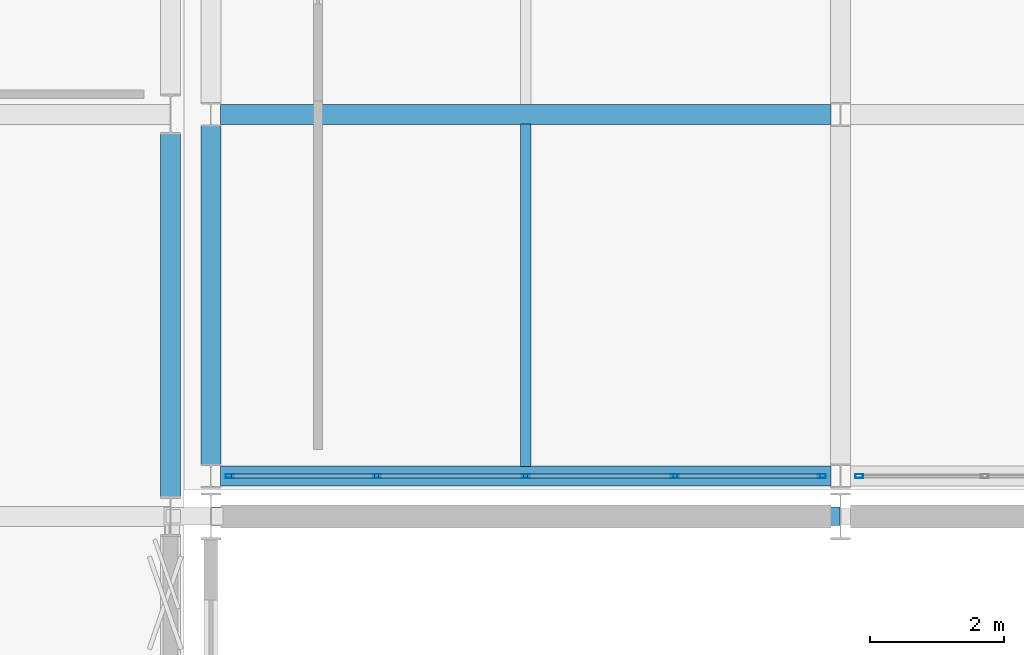
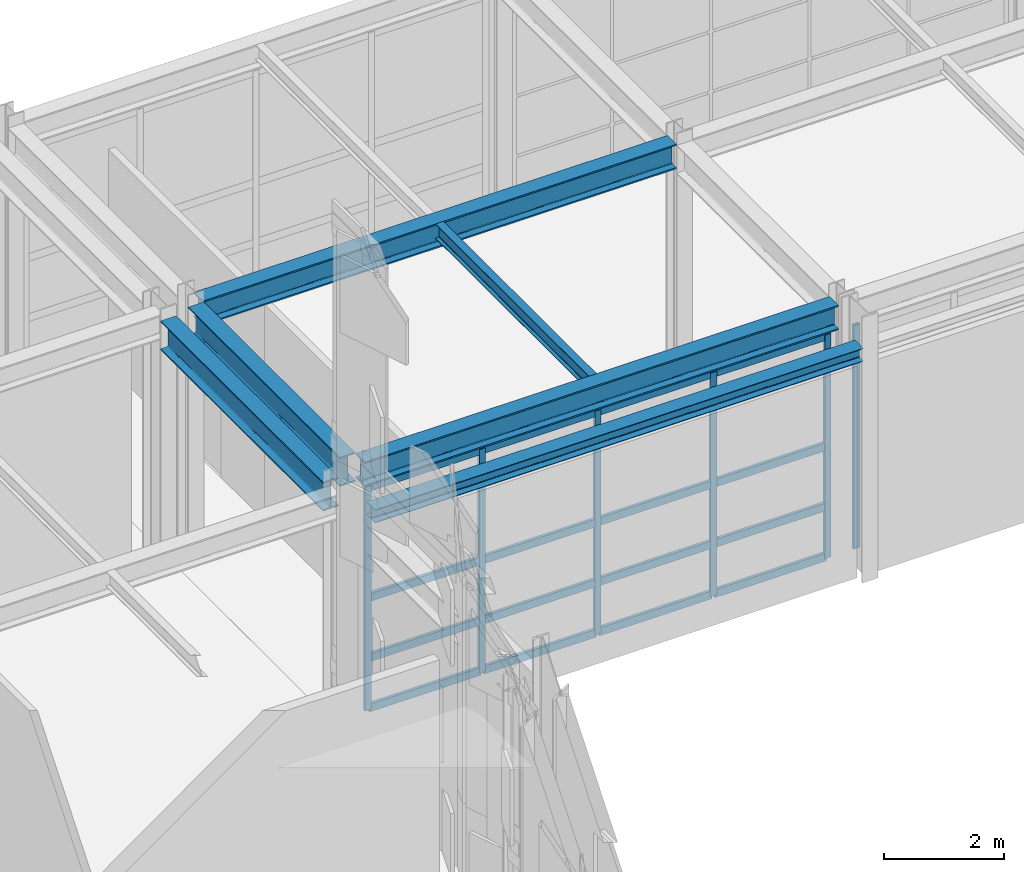
# One storey, part 167 of 239: 22 members, 6 beams, 2 elements without a shape of their own.
"""IFC4 building model written with IfcOpenShell, lengths in metres."""

from ifc_helpers import new_model, si_unit, direction, frame, origin, origin_2d, place, context, subcontext, project, spatial, hollow_rectangle, i_section, extrude, material, material_profile, profile_set, type_object, element, aggregate, save


model = new_model("IFC4")

# Units and contexts
model_context = context("Model", 3, precision=1e-05, world=origin(), true_north=direction((0.0, 1.0)))
body_context = subcontext(model_context, "Body", "Model", "MODEL_VIEW")
ifc_project = project(units=[si_unit("LENGTHUNIT", "METRE"), si_unit("AREAUNIT", "SQUARE_METRE"), si_unit("VOLUMEUNIT", "CUBIC_METRE"), si_unit("PLANEANGLEUNIT", "RADIAN"), si_unit("MASSUNIT", "GRAM", prefix="KILO")], contexts=[model_context])

# Site, building, storey
site_placement = place(None, origin())
site = spatial("IfcSite", under=ifc_project, at=site_placement, CompositionType="ELEMENT")
building_placement = place(site_placement, origin())
building = spatial("IfcBuilding", under=site, at=building_placement, Name="Kaldris Quays Convention Centre", CompositionType="ELEMENT")
storey_placement = place(building_placement, frame((0.0, 0.0, 11.39990234375)))
storey = spatial("IfcBuildingStorey", under=building, at=storey_placement, Name="L02", CompositionType="ELEMENT", Elevation=11.39990234375)

# Curtain wall, members
ifc_material_1 = material(Name="Anodized aluminium AW-6060 and triple glazing", Category="aluminium")
curtain_wall_type = type_object("IfcCurtainWallType", Name="UNITISED CURTAIN WALL CW06", PredefinedType="NOTDEFINED", material=ifc_material_1)
curtain_wall_1_placement = place(storey_placement, origin())
curtain_wall_1 = element("IfcCurtainWall", 1, at=curtain_wall_1_placement, inside=storey, type_object=curtain_wall_type, Name="L02 Unitised Curtain Wall CW06 167", PredefinedType="NOTDEFINED")
ifc_material_2 = material(Name="Anodized aluminium AW-6060", Category="aluminium")
ifc_material_profile_1 = material_profile(ifc_material_2, hollow_rectangle(XDim=0.06005859375, YDim=0.1201171875, WallThickness=0.00390625, at=origin_2d()), Name="RHS 120x60x4")
ifc_profile_set_1 = profile_set([ifc_material_profile_1], Name="Anodized aluminium AW-6060")
member_type_1 = type_object("IfcMemberType", Name="CURTAIN MULLION CWM3", PredefinedType="MULLION", material=ifc_profile_set_1)
member_1_placement = place(storey_placement, frame((164.8798828125, 104.60009765625, 0.0), z_axis=(0.0, 0.0, 1.0), x_axis=(0.0, 1.0, 0.0)))
member_1 = element("IfcMember", 2, at=member_1_placement, type_object=member_type_1, Name="CW06 mullion 1", PredefinedType="MULLION", context=body_context, shape_type="SweptSolid", body=[
    extrude(hollow_rectangle(XDim=0.06005859375, YDim=0.1201171875, WallThickness=0.00390625, at=origin_2d()), origin(), (0.0, 0.0, 1.0), 4.548095703125),
])
member_2_placement = place(storey_placement, frame((167.074951171875, 104.60009765625, 0.0), z_axis=(0.0, 0.0, 1.0), x_axis=(0.0, 1.0, 0.0)))
member_2 = element("IfcMember", 3, at=member_2_placement, type_object=member_type_1, Name="CW06 mullion 2", PredefinedType="MULLION", context=body_context, shape_type="SweptSolid", body=[
    extrude(hollow_rectangle(XDim=0.06005859375, YDim=0.1201171875, WallThickness=0.00390625, at=origin_2d()), origin(), (0.0, 0.0, 1.0), 4.548095703125),
])
member_3_placement = place(storey_placement, frame((169.300048828125, 104.60009765625, 0.0), z_axis=(0.0, 0.0, 1.0), x_axis=(0.0, 1.0, 0.0)))
member_3 = element("IfcMember", 4, at=member_3_placement, type_object=member_type_1, Name="CW06 mullion 3", PredefinedType="MULLION", context=body_context, shape_type="SweptSolid", body=[
    extrude(hollow_rectangle(XDim=0.06005859375, YDim=0.1201171875, WallThickness=0.00390625, at=origin_2d()), origin(), (0.0, 0.0, 1.0), 4.548095703125),
])
member_4_placement = place(storey_placement, frame((171.52490234375, 104.60009765625, 0.0), z_axis=(0.0, 0.0, 1.0), x_axis=(0.0, 1.0, 0.0)))
member_4 = element("IfcMember", 5, at=member_4_placement, type_object=member_type_1, Name="CW06 mullion 4", PredefinedType="MULLION", context=body_context, shape_type="SweptSolid", body=[
    extrude(hollow_rectangle(XDim=0.06005859375, YDim=0.1201171875, WallThickness=0.00390625, at=origin_2d()), origin(), (0.0, 0.0, 1.0), 4.548095703125),
])
member_5_placement = place(storey_placement, frame((173.719970703125, 104.60009765625, 0.0), z_axis=(0.0, 0.0, 1.0), x_axis=(0.0, 1.0, 0.0)))
member_5 = element("IfcMember", 6, at=member_5_placement, type_object=member_type_1, Name="CW06 mullion 5", PredefinedType="MULLION", context=body_context, shape_type="SweptSolid", body=[
    extrude(hollow_rectangle(XDim=0.06005859375, YDim=0.1201171875, WallThickness=0.00390625, at=origin_2d()), origin(), (0.0, 0.0, 1.0), 4.548095703125),
])

# Curtain wall, member
curtain_wall_2_placement = place(storey_placement, origin())
curtain_wall_2 = element("IfcCurtainWall", 7, at=curtain_wall_2_placement, inside=storey, type_object=curtain_wall_type, Name="L02 Unitised Curtain Wall CW06 169", PredefinedType="NOTDEFINED")
member_6_placement = place(storey_placement, frame((174.280029296875, 104.60009765625, 0.0), z_axis=(0.0, 0.0, 1.0), x_axis=(0.0, 1.0, 0.0)))
member_6 = element("IfcMember", 8, at=member_6_placement, type_object=member_type_1, Name="CW06 mullion 1", PredefinedType="MULLION", context=body_context, shape_type="SweptSolid", body=[
    extrude(hollow_rectangle(XDim=0.06005859375, YDim=0.1201171875, WallThickness=0.00390625, at=origin_2d()), origin(), (0.0, 0.0, 1.0), 4.548095703125),
])
aggregate(curtain_wall_2, [member_6])

# Member
ifc_material_profile_2 = material_profile(ifc_material_2, hollow_rectangle(XDim=0.06005859375, YDim=0.159912109375, WallThickness=0.00390625, at=origin_2d()), Name="RHS 160x60x4")
ifc_profile_set_2 = profile_set([ifc_material_profile_2], Name="Anodized aluminium AW-6060")
member_type_2 = type_object("IfcMemberType", Name="CURTAIN TRANSOM CWT2", PredefinedType="USERDEFINED", material=ifc_profile_set_2)
member_7_placement = place(storey_placement, frame((164.909912109375, 104.60009765625, 0.030029296875), z_axis=(1.0, 0.0, 0.0), x_axis=(0.0, 1.0, 0.0)))
member_7 = element("IfcMember", 9, at=member_7_placement, type_object=member_type_2, Name="CW06 transom 1.1", ObjectType="TRANSOM", PredefinedType="USERDEFINED", context=body_context, shape_type="SweptSolid", body=[
    extrude(hollow_rectangle(XDim=0.06005859375, YDim=0.159912109375, WallThickness=0.00390625, at=origin_2d()), origin(), (0.0, 0.0, 1.0), 2.135009765625),
])

member_8_placement = place(storey_placement, frame((164.909912109375, 104.60009765625, 1.050048828125), z_axis=(1.0, 0.0, 0.0), x_axis=(0.0, 1.0, 0.0)))
member_8 = element("IfcMember", 10, at=member_8_placement, type_object=member_type_2, Name="CW06 transom 1.2", ObjectType="TRANSOM", PredefinedType="USERDEFINED", context=body_context, shape_type="SweptSolid", body=[
    extrude(hollow_rectangle(XDim=0.06005859375, YDim=0.159912109375, WallThickness=0.00390625, at=origin_2d()), origin(), (0.0, 0.0, 1.0), 2.135009765625),
])

member_9_placement = place(storey_placement, frame((164.909912109375, 104.60009765625, 2.274169921875), z_axis=(1.0, 0.0, 0.0), x_axis=(0.0, 1.0, 0.0)))
member_9 = element("IfcMember", 11, at=member_9_placement, type_object=member_type_2, Name="CW06 transom 1.3", ObjectType="TRANSOM", PredefinedType="USERDEFINED", context=body_context, shape_type="SweptSolid", body=[
    extrude(hollow_rectangle(XDim=0.06005859375, YDim=0.159912109375, WallThickness=0.00390625, at=origin_2d()), origin(), (0.0, 0.0, 1.0), 2.135009765625),
])

member_10_placement = place(storey_placement, frame((164.909912109375, 104.60009765625, 4.51806640625), z_axis=(1.0, 0.0, 0.0), x_axis=(0.0, 1.0, 0.0)))
member_10 = element("IfcMember", 12, at=member_10_placement, type_object=member_type_2, Name="CW06 transom 1.4", ObjectType="TRANSOM", PredefinedType="USERDEFINED", context=body_context, shape_type="SweptSolid", body=[
    extrude(hollow_rectangle(XDim=0.06005859375, YDim=0.159912109375, WallThickness=0.00390625, at=origin_2d()), origin(), (0.0, 0.0, 1.0), 2.135009765625),
])

member_11_placement = place(storey_placement, frame((167.10498046875, 104.60009765625, 0.030029296875), z_axis=(1.0, 0.0, 0.0), x_axis=(0.0, 1.0, 0.0)))
member_11 = element("IfcMember", 13, at=member_11_placement, type_object=member_type_2, Name="CW06 transom 2.1", ObjectType="TRANSOM", PredefinedType="USERDEFINED", context=body_context, shape_type="SweptSolid", body=[
    extrude(hollow_rectangle(XDim=0.06005859375, YDim=0.159912109375, WallThickness=0.00390625, at=origin_2d()), origin(), (0.0, 0.0, 1.0), 2.1650390625),
])

member_12_placement = place(storey_placement, frame((167.10498046875, 104.60009765625, 1.050048828125), z_axis=(1.0, 0.0, 0.0), x_axis=(0.0, 1.0, 0.0)))
member_12 = element("IfcMember", 14, at=member_12_placement, type_object=member_type_2, Name="CW06 transom 2.2", ObjectType="TRANSOM", PredefinedType="USERDEFINED", context=body_context, shape_type="SweptSolid", body=[
    extrude(hollow_rectangle(XDim=0.06005859375, YDim=0.159912109375, WallThickness=0.00390625, at=origin_2d()), origin(), (0.0, 0.0, 1.0), 2.1650390625),
])

member_13_placement = place(storey_placement, frame((167.10498046875, 104.60009765625, 2.274169921875), z_axis=(1.0, 0.0, 0.0), x_axis=(0.0, 1.0, 0.0)))
member_13 = element("IfcMember", 15, at=member_13_placement, type_object=member_type_2, Name="CW06 transom 2.3", ObjectType="TRANSOM", PredefinedType="USERDEFINED", context=body_context, shape_type="SweptSolid", body=[
    extrude(hollow_rectangle(XDim=0.06005859375, YDim=0.159912109375, WallThickness=0.00390625, at=origin_2d()), origin(), (0.0, 0.0, 1.0), 2.1650390625),
])

member_14_placement = place(storey_placement, frame((167.10498046875, 104.60009765625, 4.51806640625), z_axis=(1.0, 0.0, 0.0), x_axis=(0.0, 1.0, 0.0)))
member_14 = element("IfcMember", 16, at=member_14_placement, type_object=member_type_2, Name="CW06 transom 2.4", ObjectType="TRANSOM", PredefinedType="USERDEFINED", context=body_context, shape_type="SweptSolid", body=[
    extrude(hollow_rectangle(XDim=0.06005859375, YDim=0.159912109375, WallThickness=0.00390625, at=origin_2d()), origin(), (0.0, 0.0, 1.0), 2.1650390625),
])

member_15_placement = place(storey_placement, frame((169.330078125, 104.60009765625, 0.030029296875), z_axis=(1.0, 0.0, 0.0), x_axis=(0.0, 1.0, 0.0)))
member_15 = element("IfcMember", 17, at=member_15_placement, type_object=member_type_2, Name="CW06 transom 3.1", ObjectType="TRANSOM", PredefinedType="USERDEFINED", context=body_context, shape_type="SweptSolid", body=[
    extrude(hollow_rectangle(XDim=0.06005859375, YDim=0.159912109375, WallThickness=0.00390625, at=origin_2d()), origin(), (0.0, 0.0, 1.0), 2.1650390625),
])

member_16_placement = place(storey_placement, frame((169.330078125, 104.60009765625, 1.050048828125), z_axis=(1.0, 0.0, 0.0), x_axis=(0.0, 1.0, 0.0)))
member_16 = element("IfcMember", 18, at=member_16_placement, type_object=member_type_2, Name="CW06 transom 3.2", ObjectType="TRANSOM", PredefinedType="USERDEFINED", context=body_context, shape_type="SweptSolid", body=[
    extrude(hollow_rectangle(XDim=0.06005859375, YDim=0.159912109375, WallThickness=0.00390625, at=origin_2d()), origin(), (0.0, 0.0, 1.0), 2.1650390625),
])

member_17_placement = place(storey_placement, frame((169.330078125, 104.60009765625, 2.274169921875), z_axis=(1.0, 0.0, 0.0), x_axis=(0.0, 1.0, 0.0)))
member_17 = element("IfcMember", 19, at=member_17_placement, type_object=member_type_2, Name="CW06 transom 3.3", ObjectType="TRANSOM", PredefinedType="USERDEFINED", context=body_context, shape_type="SweptSolid", body=[
    extrude(hollow_rectangle(XDim=0.06005859375, YDim=0.159912109375, WallThickness=0.00390625, at=origin_2d()), origin(), (0.0, 0.0, 1.0), 2.1650390625),
])

member_18_placement = place(storey_placement, frame((169.330078125, 104.60009765625, 4.51806640625), z_axis=(1.0, 0.0, 0.0), x_axis=(0.0, 1.0, 0.0)))
member_18 = element("IfcMember", 20, at=member_18_placement, type_object=member_type_2, Name="CW06 transom 3.4", ObjectType="TRANSOM", PredefinedType="USERDEFINED", context=body_context, shape_type="SweptSolid", body=[
    extrude(hollow_rectangle(XDim=0.06005859375, YDim=0.159912109375, WallThickness=0.00390625, at=origin_2d()), origin(), (0.0, 0.0, 1.0), 2.1650390625),
])

member_19_placement = place(storey_placement, frame((171.554931640625, 104.60009765625, 0.030029296875), z_axis=(1.0, 0.0, 0.0), x_axis=(0.0, 1.0, 0.0)))
member_19 = element("IfcMember", 21, at=member_19_placement, type_object=member_type_2, Name="CW06 transom 4.1", ObjectType="TRANSOM", PredefinedType="USERDEFINED", context=body_context, shape_type="SweptSolid", body=[
    extrude(hollow_rectangle(XDim=0.06005859375, YDim=0.159912109375, WallThickness=0.00390625, at=origin_2d()), origin(), (0.0, 0.0, 1.0), 2.135009765625),
])

member_20_placement = place(storey_placement, frame((171.554931640625, 104.60009765625, 1.050048828125), z_axis=(1.0, 0.0, 0.0), x_axis=(0.0, 1.0, 0.0)))
member_20 = element("IfcMember", 22, at=member_20_placement, type_object=member_type_2, Name="CW06 transom 4.2", ObjectType="TRANSOM", PredefinedType="USERDEFINED", context=body_context, shape_type="SweptSolid", body=[
    extrude(hollow_rectangle(XDim=0.06005859375, YDim=0.159912109375, WallThickness=0.00390625, at=origin_2d()), origin(), (0.0, 0.0, 1.0), 2.135009765625),
])

member_21_placement = place(storey_placement, frame((171.554931640625, 104.60009765625, 2.274169921875), z_axis=(1.0, 0.0, 0.0), x_axis=(0.0, 1.0, 0.0)))
member_21 = element("IfcMember", 23, at=member_21_placement, type_object=member_type_2, Name="CW06 transom 4.3", ObjectType="TRANSOM", PredefinedType="USERDEFINED", context=body_context, shape_type="SweptSolid", body=[
    extrude(hollow_rectangle(XDim=0.06005859375, YDim=0.159912109375, WallThickness=0.00390625, at=origin_2d()), origin(), (0.0, 0.0, 1.0), 2.135009765625),
])

member_22_placement = place(storey_placement, frame((171.554931640625, 104.60009765625, 4.51806640625), z_axis=(1.0, 0.0, 0.0), x_axis=(0.0, 1.0, 0.0)))
member_22 = element("IfcMember", 24, at=member_22_placement, type_object=member_type_2, Name="CW06 transom 4.4", ObjectType="TRANSOM", PredefinedType="USERDEFINED", context=body_context, shape_type="SweptSolid", body=[
    extrude(hollow_rectangle(XDim=0.06005859375, YDim=0.159912109375, WallThickness=0.00390625, at=origin_2d()), origin(), (0.0, 0.0, 1.0), 2.135009765625),
])

aggregate(curtain_wall_1, [member_1, member_2, member_3, member_4, member_5, member_7, member_8, member_9, member_10, member_11, member_12, member_13, member_14, member_15, member_16, member_17, member_18, member_19, member_20, member_21, member_22])

# Beams
ifc_material_3 = material(Name="Steel S355J2", Category="steel")
ifc_material_profile_3 = material_profile(ifc_material_3, i_section(OverallWidth=0.300048828125, OverallDepth=0.5, WebThickness=0.014404296875, FlangeThickness=0.028076171875, FilletRadius=0.027099609375, at=origin_2d()), Name="HEB 500")
ifc_profile_set_3 = profile_set([ifc_material_profile_3], Name="Steel S355J2")
beam_type_1 = type_object("IfcBeamType", Name="STRUCTURAL BEAM BM06", PredefinedType="BEAM", material=ifc_profile_set_3)
for number, where, z_axis, x_axis, name in (
    (25, (164.743896484375, 104.60009765625, 4.9130859375), (1.0, 0.0, 0.0), (0.0, 1.0, 0.0), "L02 Girder BM06 43"),
    (26, (164.743896484375, 110.0, 4.9130859375), (1.0, 0.0, 0.0), (0.0, 1.0, 0.0), "L02 Girder BM06 48"),
):
    element("IfcBeam", number, at=place(storey_placement, frame(where, z_axis=z_axis, x_axis=x_axis)), inside=storey, type_object=beam_type_1, Name=name, PredefinedType="BEAM", context=body_context, shape_type="SweptSolid", body=[
        extrude(i_section(OverallWidth=0.300048828125, OverallDepth=0.5, WebThickness=0.014404296875, FlangeThickness=0.028076171875, FilletRadius=0.027099609375, at=origin_2d()), origin(), (0.0, 0.0, 1.0), 9.112060546875),
    ])
ifc_material_profile_4 = material_profile(ifc_material_3, i_section(OverallWidth=0.300048828125, OverallDepth=0.590087890625, WebThickness=0.012939453125, FlangeThickness=0.02490234375, FilletRadius=0.027099609375, at=origin_2d()), Name="HEA 600")
ifc_profile_set_4 = profile_set([ifc_material_profile_4], Name="Steel S355J2")
beam_type_2 = type_object("IfcBeamType", Name="STRUCTURAL BEAM BM08", PredefinedType="BEAM", material=ifc_profile_set_4)
beam_1_placement = place(storey_placement, frame((164.0, 104.2939453125, 4.8681640625), z_axis=(0.0, 1.0, 0.0), x_axis=(-1.0, 0.0, 0.0)))
element("IfcBeam", 27, at=beam_1_placement, inside=storey, type_object=beam_type_2, Name="L02 Girder BM08 100", PredefinedType="BEAM", context=body_context, shape_type="SweptSolid", body=[
    extrude(i_section(OverallWidth=0.300048828125, OverallDepth=0.590087890625, WebThickness=0.012939453125, FlangeThickness=0.02490234375, FilletRadius=0.027099609375, at=origin_2d()), origin(), (0.0, 0.0, 1.0), 5.412109375),
])
beam_2_placement = place(storey_placement, frame((164.60009765625, 104.77392578125, 4.8681640625), z_axis=(0.0, 1.0, 0.0), x_axis=(-1.0, 0.0, 0.0)))
element("IfcBeam", 28, at=beam_2_placement, inside=storey, type_object=beam_type_2, Name="L02 Girder BM08 102", PredefinedType="BEAM", context=body_context, shape_type="SweptSolid", body=[
    extrude(i_section(OverallWidth=0.300048828125, OverallDepth=0.590087890625, WebThickness=0.012939453125, FlangeThickness=0.02490234375, FilletRadius=0.027099609375, at=origin_2d()), origin(), (0.0, 0.0, 1.0), 5.052001953125),
])
ifc_material_profile_5 = material_profile(ifc_material_3, i_section(OverallWidth=0.14990234375, OverallDepth=0.300048828125, WebThickness=0.007080078125, FlangeThickness=0.0107421875, FilletRadius=0.014892578125, at=origin_2d()), Name="IPE 300")
ifc_profile_set_5 = profile_set([ifc_material_profile_5], Name="Steel S355J2")
beam_type_3 = type_object("IfcBeamType", Name="STRUCTURAL BEAM JT04", PredefinedType="JOIST", material=ifc_profile_set_5)
beam_3_placement = place(storey_placement, frame((169.300048828125, 104.743896484375, 5.01318359375), z_axis=(0.0, 1.0, 0.0), x_axis=(-1.0, 0.0, 0.0)))
element("IfcBeam", 29, at=beam_3_placement, inside=storey, type_object=beam_type_3, Name="L02 Secondary Joist JT04 28", PredefinedType="JOIST", context=body_context, shape_type="SweptSolid", body=[
    extrude(i_section(OverallWidth=0.14990234375, OverallDepth=0.300048828125, WebThickness=0.007080078125, FlangeThickness=0.0107421875, FilletRadius=0.014892578125, at=origin_2d()), origin(), (0.0, 0.0, 1.0), 5.112060546875),
])
ifc_material_profile_6 = material_profile(ifc_material_3, i_section(OverallWidth=0.280029296875, OverallDepth=0.27001953125, WebThickness=0.008056640625, FlangeThickness=0.012939453125, FilletRadius=0.02392578125, at=origin_2d()), Name="HEA 280")
ifc_profile_set_6 = profile_set([ifc_material_profile_6], Name="Steel S355J2")
beam_type_4 = type_object("IfcBeamType", Name="STRUCTURAL BEAM SP03", PredefinedType="SPANDREL", material=ifc_profile_set_6)
beam_4_placement = place(storey_placement, frame((164.60595703125, 104.0, 4.465087890625), z_axis=(1.0, 0.0, 0.0), x_axis=(0.0, 1.0, 0.0)))
element("IfcBeam", 30, at=beam_4_placement, inside=storey, type_object=beam_type_4, Name="L02 Perimeter Wall-Bearing Spandrel SP03 69", PredefinedType="SPANDREL", context=body_context, shape_type="SweptSolid", body=[
    extrude(i_section(OverallWidth=0.280029296875, OverallDepth=0.27001953125, WebThickness=0.008056640625, FlangeThickness=0.012939453125, FilletRadius=0.02392578125, at=origin_2d()), origin(), (0.0, 0.0, 1.0), 9.387939453125),
])

save(model, "model.ifc")
